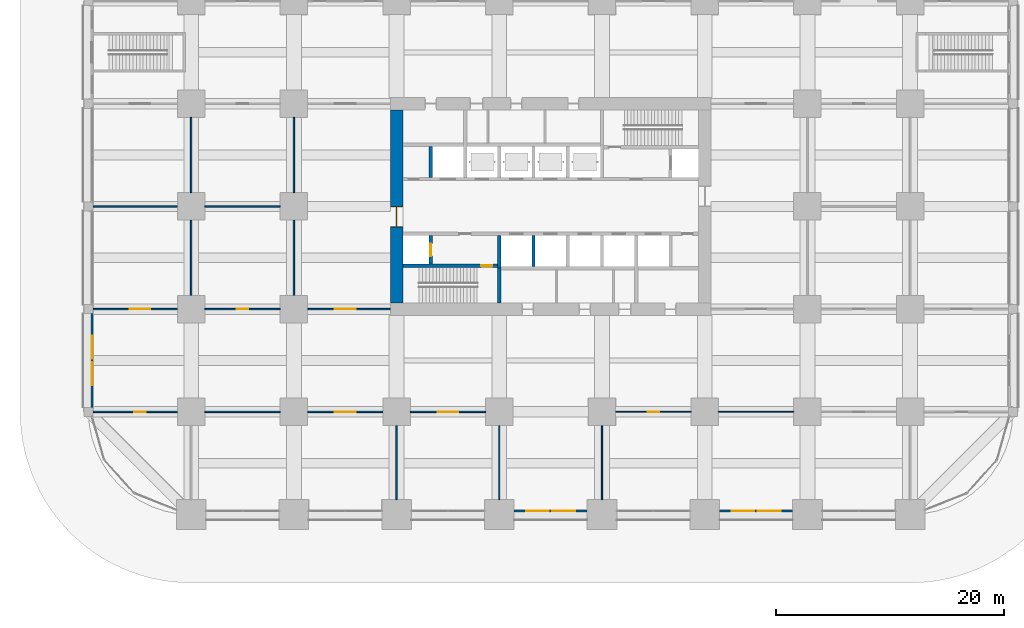
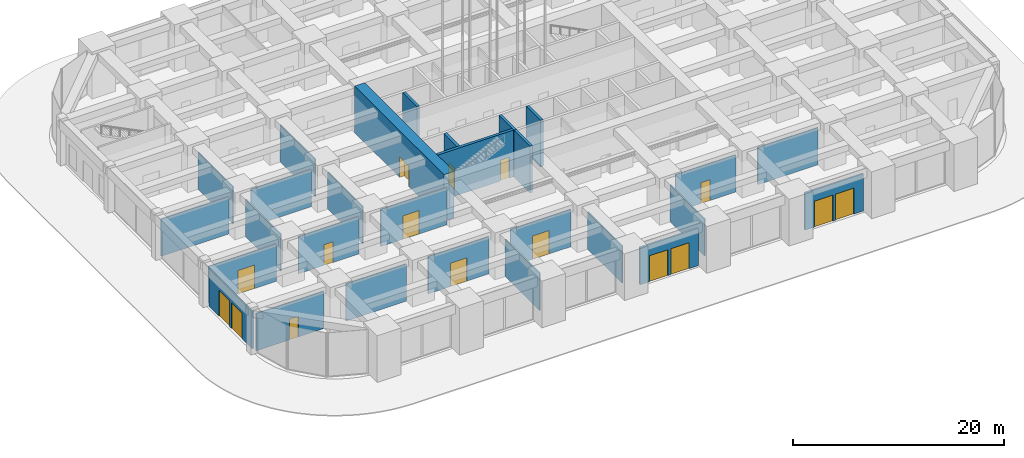
# One storey, part 41 of 56: 28 walls, 16 doors, 16 openings.
"""IFC4 building model written with IfcOpenShell, lengths in metres."""

from ifc_helpers import new_model, si_unit, direction, frame, frame_2d, origin, place, context, subcontext, project, spatial, rectangle, extrude, material, layer, layer_set, type_object, element, fill, save


model = new_model("IFC4")

# Units and contexts
model_context = context("Model", 3, precision=1e-05, world=origin(), true_north=direction((0.0, 1.0)))
body_context = subcontext(model_context, "Body", "Model", "MODEL_VIEW")
ifc_project = project(units=[si_unit("LENGTHUNIT", "METRE"), si_unit("AREAUNIT", "SQUARE_METRE"), si_unit("VOLUMEUNIT", "CUBIC_METRE"), si_unit("PLANEANGLEUNIT", "RADIAN"), si_unit("MASSUNIT", "GRAM", prefix="KILO")], contexts=[model_context])

# Site, building, storey
site_placement = place(None, origin())
site = spatial("IfcSite", under=ifc_project, at=site_placement, CompositionType="ELEMENT")
building_placement = place(site_placement, origin())
building = spatial("IfcBuilding", under=site, at=building_placement, Name="Zorevar Civic Tower", CompositionType="ELEMENT")
storey_placement = place(building_placement, origin())
storey = spatial("IfcBuildingStorey", under=building, at=storey_placement, Name="L00", CompositionType="ELEMENT", Elevation=0.0)

# Wall, opening, door
ifc_material_1 = material(Name="Concrete C50/60", Category="concrete")
ifc_layer_1 = layer(ifc_material_1, 1.10009765625)
ifc_layer_set_1 = layer_set([ifc_layer_1], Name="Core wall 1100")
wall_type_1 = type_object("IfcWallType", Name="Core wall 1100", PredefinedType="SHEAR", material=ifc_layer_set_1)
wall_1_placement = place(storey_placement, frame((18.0, 35.449951171875, 0.0), z_axis=(0.0, 0.0, 1.0), x_axis=(0.0, -1.0, 0.0)))
wall_1 = element("IfcWall", 1, at=wall_1_placement, inside=storey, type_object=wall_type_1, Name="Core wall W L00", PredefinedType="SHEAR", context=body_context, shape_type="SweptSolid", body=[
    extrude(rectangle(XDim=16.89990234375, YDim=1.10009765625, at=frame_2d((8.449951171875, 0.0))), origin(), (0.0, 0.0, 1.0), 5.39990234375),
])
opening_1_placement = place(wall_1_placement, frame((8.449951171875, 0.0, 0.0)))
opening_1 = element("IfcOpeningElement", 2, at=opening_1_placement, cuts=wall_1, Name="Opening L00.01", PredefinedType="OPENING", context=body_context, shape_type="SweptSolid", body=[
    extrude(rectangle(XDim=1.800048828125, YDim=2.39990234375, at=frame_2d((0.89990234375, 1.199951171875))), frame((0.0, 0.56005859375, 0.0), z_axis=(0.0, -1.0, 0.0), x_axis=(1.0, 0.0, 0.0)), (0.0, 0.0, 1.0), 1.1201171875),
])
ifc_material_2 = material(Name="Steel door set", Category="steel")
door_type_1 = type_object("IfcDoorType", Name="Fire door FD2 1800x2400", OperationType="DOUBLE_DOOR_DOUBLE_SWING", PredefinedType="DOOR", material=ifc_material_2)
door_1_placement = place(opening_1_placement, origin())
door_1 = element("IfcDoor", 3, at=door_1_placement, inside=storey, type_object=door_type_1, Name="Door L00 00", OperationType="DOUBLE_DOOR_DOUBLE_SWING", OverallHeight=2.39990234375, OverallWidth=1.800048828125, PredefinedType="DOOR", context=body_context, shape_type="SweptSolid", body=[
    extrude(rectangle(XDim=1.800048828125, YDim=2.39990234375, at=frame_2d((0.89990234375, 1.199951171875))), frame((0.0, 0.030029296875, 0.0), z_axis=(0.0, -1.0, 0.0), x_axis=(1.0, 0.0, 0.0)), (0.0, 0.0, 1.0), 0.06005859375),
    extrude(rectangle(XDim=0.04, YDim=2.39990234375, at=frame_2d((0.02001953125, 1.199951171875))), frame((0.0, 0.5498046875, 0.0), z_axis=(0.0, -1.0, 0.0), x_axis=(1.0, 0.0, 0.0)), (0.0, 0.0, 1.0), 1.099609375),
    extrude(rectangle(XDim=0.04, YDim=2.39990234375, at=frame_2d((1.780029296875, 1.199951171875))), frame((0.0, 0.5498046875, 0.0), z_axis=(0.0, -1.0, 0.0), x_axis=(1.0, 0.0, 0.0)), (0.0, 0.0, 1.0), 1.099609375),
    extrude(rectangle(XDim=1.800048828125, YDim=0.04, at=frame_2d((0.89990234375, 2.3798828125))), frame((0.0, 0.5498046875, 0.0), z_axis=(0.0, -1.0, 0.0), x_axis=(1.0, 0.0, 0.0)), (0.0, 0.0, 1.0), 1.099609375),
])
fill(opening_1, door_1)

ifc_material_3 = material(Name="Laminated glass in black aluminium frame", Category="aluminium")
ifc_layer_2 = layer(ifc_material_3, 0.10009765625)
ifc_layer_set_2 = layer_set([ifc_layer_2], Name="Glazed partition 100")
wall_type_2 = type_object("IfcWallType", Name="Glazed partition 100", PredefinedType="PARTITIONING", material=ifc_layer_set_2)
wall_2_placement = place(storey_placement, frame((37.199951171875, 9.0, 0.0), z_axis=(0.0, 0.0, 1.0), x_axis=(1.0, 0.0, 0.0)))
wall_2 = element("IfcWall", 4, at=wall_2_placement, inside=storey, type_object=wall_type_2, Name="Glazed partition 100 L00", PredefinedType="PARTITIONING", context=body_context, shape_type="SweptSolid", body=[
    extrude(rectangle(XDim=6.60009765625, YDim=0.10009765625, at=frame_2d((3.300048828125, 0.0))), origin(), (0.0, 0.0, 1.0), 4.300048828125),
])
opening_2_placement = place(wall_2_placement, frame((2.800048828125, 0.0, 0.0)))
opening_2 = element("IfcOpeningElement", 5, at=opening_2_placement, cuts=wall_2, Name="Opening L00.18", PredefinedType="OPENING", context=body_context, shape_type="SweptSolid", body=[
    extrude(rectangle(XDim=1.0, YDim=2.39990234375, at=frame_2d((0.5, 1.199951171875))), frame((0.0, 0.06005859375, 0.0), z_axis=(0.0, -1.0, 0.0), x_axis=(1.0, 0.0, 0.0)), (0.0, 0.0, 1.0), 0.1201171875),
])
ifc_material_4 = material(Name="Timber door set", Category="wood")
door_type_2 = type_object("IfcDoorType", Name="Glazed door GD1 1000x2400", OperationType="SINGLE_SWING_LEFT", PredefinedType="DOOR", material=ifc_material_4)
door_2_placement = place(opening_2_placement, origin())
door_2 = element("IfcDoor", 6, at=door_2_placement, inside=storey, type_object=door_type_2, Name="Door L00 D9", OperationType="SINGLE_SWING_LEFT", OverallHeight=2.39990234375, OverallWidth=1.0, PredefinedType="DOOR", context=body_context, shape_type="SweptSolid", body=[
    extrude(rectangle(XDim=1.0, YDim=2.39990234375, at=frame_2d((0.5, 1.199951171875))), frame((0.0, 0.02001953125, 0.0), z_axis=(0.0, -1.0, 0.0), x_axis=(1.0, 0.0, 0.0)), (0.0, 0.0, 1.0), 0.0400390625),
])
fill(opening_2, door_2)

# Wall
wall_3_placement = place(storey_placement, frame((46.199951171875, 9.0, 0.0), z_axis=(0.0, 0.0, 1.0), x_axis=(1.0, 0.0, 0.0)))
element("IfcWall", 7, at=wall_3_placement, inside=storey, type_object=wall_type_2, Name="Glazed partition 100 L00", PredefinedType="PARTITIONING", context=body_context, shape_type="SweptSolid", body=[
    extrude(rectangle(XDim=6.60009765625, YDim=0.10009765625, at=frame_2d((3.300048828125, 0.0))), origin(), (0.0, 0.0, 1.0), 4.300048828125),
])

# Wall, opening, door
ifc_material_5 = material(Name="Concrete C40/50", Category="concrete")
ifc_layer_3 = layer(ifc_material_5, 0.300048828125)
ifc_layer_set_3 = layer_set([ifc_layer_3], Name="Inner core wall 300")
wall_type_3 = type_object("IfcWallType", Name="Inner core wall 300", PredefinedType="SHEAR", material=ifc_layer_set_3)
wall_4_placement = place(storey_placement, frame((18.550048828125, 21.800048828125, 0.0), z_axis=(0.0, 0.0, 1.0), x_axis=(1.0, 0.0, 0.0)))
wall_4 = element("IfcWall", 8, at=wall_4_placement, inside=storey, type_object=wall_type_3, Name="Inner core wall S00 L00", PredefinedType="SHEAR", context=body_context, shape_type="SweptSolid", body=[
    extrude(rectangle(XDim=8.300048828125, YDim=0.300048828125, at=frame_2d((4.14990234375, 0.0))), origin(), (0.0, 0.0, 1.0), 5.39990234375),
])
opening_3_placement = place(wall_4_placement, frame((6.85009765625, 0.0, 0.0)))
opening_3 = element("IfcOpeningElement", 9, at=opening_3_placement, cuts=wall_4, Name="Opening L00.11", PredefinedType="OPENING", context=body_context, shape_type="SweptSolid", body=[
    extrude(rectangle(XDim=1.0, YDim=2.39990234375, at=frame_2d((0.5, 1.199951171875))), frame((0.0, 0.159912109375, 0.0), z_axis=(0.0, -1.0, 0.0), x_axis=(1.0, 0.0, 0.0)), (0.0, 0.0, 1.0), 0.320068359375),
])
ifc_material_6 = material(Name="Steel door set", Category="steel")
door_type_3 = type_object("IfcDoorType", Name="Fire door FD1 1000x2400", OperationType="SINGLE_SWING_LEFT", PredefinedType="DOOR", material=ifc_material_6)
door_3_placement = place(opening_3_placement, origin())
door_3 = element("IfcDoor", 10, at=door_3_placement, inside=storey, type_object=door_type_3, Name="Door L00 10", OperationType="SINGLE_SWING_RIGHT", OverallHeight=2.39990234375, OverallWidth=1.0, PredefinedType="DOOR", context=body_context, shape_type="SweptSolid", body=[
    extrude(rectangle(XDim=1.0, YDim=2.39990234375, at=frame_2d((0.5, 1.199951171875))), frame((0.0, 0.030029296875, 0.0), z_axis=(0.0, -1.0, 0.0), x_axis=(1.0, 0.0, 0.0)), (0.0, 0.0, 1.0), 0.06005859375),
])
fill(opening_3, door_3)

# Wall
wall_5_placement = place(storey_placement, frame((27.0, 18.550048828125, 0.0), z_axis=(0.0, 0.0, 1.0), x_axis=(0.0, 1.0, 0.0)))
element("IfcWall", 11, at=wall_5_placement, inside=storey, type_object=wall_type_3, Name="Inner core wall S01 L00", PredefinedType="SHEAR", context=body_context, shape_type="SweptSolid", body=[
    extrude(rectangle(XDim=3.050048828125, YDim=0.300048828125, at=frame_2d((1.52490234375, 0.0))), origin(), (0.0, 0.0, 1.0), 5.39990234375),
])

# Wall, opening, door
wall_6_placement = place(storey_placement, frame((21.0, 21.949951171875, 0.0), z_axis=(0.0, 0.0, 1.0), x_axis=(0.0, 1.0, 0.0)))
wall_6 = element("IfcWall", 12, at=wall_6_placement, inside=storey, type_object=wall_type_3, Name="Inner core wall S02 L00", PredefinedType="SHEAR", context=body_context, shape_type="SweptSolid", body=[
    extrude(rectangle(XDim=2.5, YDim=0.300048828125, at=frame_2d((1.25, 0.0))), origin(), (0.0, 0.0, 1.0), 5.39990234375),
])
opening_4_placement = place(wall_6_placement, frame((0.699951171875, 0.0, 0.0)))
opening_4 = element("IfcOpeningElement", 13, at=opening_4_placement, cuts=wall_6, Name="Opening L00.FL1", PredefinedType="OPENING", context=body_context, shape_type="SweptSolid", body=[
    extrude(rectangle(XDim=1.10009765625, YDim=2.39990234375, at=frame_2d((0.550048828125, 1.199951171875))), frame((0.0, 0.159912109375, 0.0), z_axis=(0.0, -1.0, 0.0), x_axis=(1.0, 0.0, 0.0)), (0.0, 0.0, 1.0), 0.320068359375),
])
ifc_material_7 = material(Name="Steel door set", Category="steel")
door_type_4 = type_object("IfcDoorType", Name="Firefighting lift landing door LD3 1100x2400", OperationType="DOUBLE_DOOR_SLIDING", PredefinedType="DOOR", material=ifc_material_7)
door_4_placement = place(opening_4_placement, origin())
door_4 = element("IfcDoor", 14, at=door_4_placement, inside=storey, type_object=door_type_4, Name="Landing door FL1 L00", OperationType="DOUBLE_DOOR_SLIDING", OverallHeight=2.39990234375, OverallWidth=1.10009765625, PredefinedType="DOOR", context=body_context, shape_type="SweptSolid", body=[
    extrude(rectangle(XDim=1.10009765625, YDim=2.39990234375, at=frame_2d((0.550048828125, 1.199951171875))), frame((0.0, 0.030029296875, 0.0), z_axis=(0.0, -1.0, 0.0), x_axis=(1.0, 0.0, 0.0)), (0.0, 0.0, 1.0), 0.06005859375),
])
fill(opening_4, door_4)

# Walls
for number, where, z_axis, x_axis, name in (
    (15, (30.0, 21.75, 0.0), (0.0, 0.0, 1.0), (0.0, 1.0, 0.0), "Inner core wall S05 L00"),
    (16, (21.0, 29.550048828125, 0.0), (0.0, 0.0, 1.0), (0.0, 1.0, 0.0), "Inner core wall N09 L00"),
):
    element("IfcWall", number, at=place(storey_placement, frame(where, z_axis=z_axis, x_axis=x_axis)), inside=storey, type_object=wall_type_3, Name=name, PredefinedType="SHEAR", context=body_context, shape_type="SweptSolid", body=[
        extrude(rectangle(XDim=2.699951171875, YDim=0.300048828125, at=frame_2d((1.35009765625, 0.0))), origin(), (0.0, 0.0, 1.0), 5.39990234375),
    ])
wall_7_placement = place(storey_placement, frame((27.0, 21.60009765625, 0.0), z_axis=(0.0, 0.0, 1.0), x_axis=(0.0, 1.0, 0.0)))
element("IfcWall", 17, at=wall_7_placement, inside=storey, type_object=wall_type_3, Name="Inner core wall S10 L00", PredefinedType="SHEAR", context=body_context, shape_type="SweptSolid", body=[
    extrude(rectangle(XDim=2.849853515625, YDim=0.300048828125, at=frame_2d((1.4248046875, 0.0))), origin(), (0.0, 0.0, 1.0), 5.39990234375),
])
ifc_material_8 = material(Name="Gypsum board on steel studs", Category="steel")
ifc_layer_4 = layer(ifc_material_8, 0.1201171875)
ifc_layer_set_4 = layer_set([ifc_layer_4], Name="Partition 120")
wall_type_4 = type_object("IfcWallType", Name="Partition 120", PredefinedType="PARTITIONING", material=ifc_layer_set_4)
wall_8_placement = place(storey_placement, frame((1.199951171875, 9.0, 0.0), z_axis=(0.0, 0.0, 1.0), x_axis=(1.0, 0.0, 0.0)))
element("IfcWall", 18, at=wall_8_placement, inside=storey, type_object=wall_type_4, Name="Partition 120 L00", PredefinedType="PARTITIONING", context=body_context, shape_type="SweptSolid", body=[
    extrude(rectangle(XDim=6.60009765625, YDim=0.1201171875, at=frame_2d((3.300048828125, 0.0))), origin(), (0.0, 0.0, 1.0), 4.300048828125),
])

# Wall, opening, door
wall_9_placement = place(storey_placement, frame((10.199951171875, 9.0, 0.0), z_axis=(0.0, 0.0, 1.0), x_axis=(1.0, 0.0, 0.0)))
wall_9 = element("IfcWall", 19, at=wall_9_placement, inside=storey, type_object=wall_type_4, Name="Partition 120 L00", PredefinedType="PARTITIONING", context=body_context, shape_type="SweptSolid", body=[
    extrude(rectangle(XDim=6.60009765625, YDim=0.1201171875, at=frame_2d((3.300048828125, 0.0))), origin(), (0.0, 0.0, 1.0), 4.300048828125),
])
opening_5_placement = place(wall_9_placement, frame((2.39990234375, 0.0, 0.0)))
opening_5 = element("IfcOpeningElement", 20, at=opening_5_placement, cuts=wall_9, Name="Opening L00.17", PredefinedType="OPENING", context=body_context, shape_type="SweptSolid", body=[
    extrude(rectangle(XDim=1.800048828125, YDim=2.699951171875, at=frame_2d((0.89990234375, 1.35009765625))), frame((0.0, 0.070068359375, 0.0), z_axis=(0.0, -1.0, 0.0), x_axis=(1.0, 0.0, 0.0)), (0.0, 0.0, 1.0), 0.14013671875),
])
ifc_material_9 = material(Name="Timber door set", Category="wood")
door_type_5 = type_object("IfcDoorType", Name="Door D3 1800x2700", OperationType="DOUBLE_DOOR_DOUBLE_SWING", PredefinedType="DOOR", material=ifc_material_9)
door_5_placement = place(opening_5_placement, origin())
door_5 = element("IfcDoor", 21, at=door_5_placement, inside=storey, type_object=door_type_5, Name="Door L00 D8", OperationType="DOUBLE_DOOR_DOUBLE_SWING", OverallHeight=2.699951171875, OverallWidth=1.800048828125, PredefinedType="DOOR", context=body_context, shape_type="SweptSolid", body=[
    extrude(rectangle(XDim=1.800048828125, YDim=2.699951171875, at=frame_2d((0.89990234375, 1.35009765625))), frame((0.0, 0.02490234375, 0.0), z_axis=(0.0, -1.0, 0.0), x_axis=(1.0, 0.0, 0.0)), (0.0, 0.0, 1.0), 0.050048828125),
])
fill(opening_5, door_5)

# Walls
for number, where, z_axis, x_axis, name in (
    (22, (18.0, 1.300048828125, 0.0), (0.0, 0.0, 1.0), (0.0, 1.0, 0.0), "Partition 120 L00"),
    (23, (36.0, 1.300048828125, 0.0), (0.0, 0.0, 1.0), (0.0, 1.0, 0.0), "Partition 120 L00"),
):
    element("IfcWall", number, at=place(storey_placement, frame(where, z_axis=z_axis, x_axis=x_axis)), inside=storey, type_object=wall_type_4, Name=name, PredefinedType="PARTITIONING", context=body_context, shape_type="SweptSolid", body=[
        extrude(rectangle(XDim=6.5, YDim=0.1201171875, at=frame_2d((3.25, 0.0))), origin(), (0.0, 0.0, 1.0), 4.300048828125),
    ])

# Wall, opening, door
wall_10_placement = place(storey_placement, frame((-8.60009765625, 9.0, 0.0), z_axis=(0.0, 0.0, 1.0), x_axis=(1.0, 0.0, 0.0)))
wall_10 = element("IfcWall", 24, at=wall_10_placement, inside=storey, type_object=wall_type_4, Name="Partition 120 L00", PredefinedType="PARTITIONING", context=body_context, shape_type="SweptSolid", body=[
    extrude(rectangle(XDim=7.400146484375, YDim=0.1201171875, at=frame_2d((3.7001953125, 0.0))), origin(), (0.0, 0.0, 1.0), 4.300048828125),
])
opening_6_placement = place(wall_10_placement, frame((3.60009765625, 0.0, 0.0)))
opening_6 = element("IfcOpeningElement", 25, at=opening_6_placement, cuts=wall_10, Name="Opening L00.20", PredefinedType="OPENING", context=body_context, shape_type="SweptSolid", body=[
    extrude(rectangle(XDim=1.0, YDim=2.39990234375, at=frame_2d((0.5, 1.199951171875))), frame((0.0, 0.070068359375, 0.0), z_axis=(0.0, -1.0, 0.0), x_axis=(1.0, 0.0, 0.0)), (0.0, 0.0, 1.0), 0.14013671875),
])
ifc_material_10 = material(Name="Timber door set", Category="wood")
door_type_6 = type_object("IfcDoorType", Name="Door D1 1000x2400", OperationType="SINGLE_SWING_LEFT", PredefinedType="DOOR", material=ifc_material_10)
door_6_placement = place(opening_6_placement, origin())
door_6 = element("IfcDoor", 26, at=door_6_placement, inside=storey, type_object=door_type_6, Name="Door L00 D22", OperationType="SINGLE_SWING_RIGHT", OverallHeight=2.39990234375, OverallWidth=1.0, PredefinedType="DOOR", context=body_context, shape_type="SweptSolid", body=[
    extrude(rectangle(XDim=1.0, YDim=2.39990234375, at=frame_2d((0.5, 1.199951171875))), frame((0.0, 0.02490234375, 0.0), z_axis=(0.0, -1.0, 0.0), x_axis=(1.0, 0.0, 0.0)), (0.0, 0.0, 1.0), 0.050048828125),
])
fill(opening_6, door_6)

wall_11_placement = place(storey_placement, frame((19.199951171875, 9.0, 0.0), z_axis=(0.0, 0.0, 1.0), x_axis=(1.0, 0.0, 0.0)))
wall_11 = element("IfcWall", 27, at=wall_11_placement, inside=storey, type_object=wall_type_4, Name="Partition 120 L00", PredefinedType="PARTITIONING", context=body_context, shape_type="SweptSolid", body=[
    extrude(rectangle(XDim=6.60009765625, YDim=0.1201171875, at=frame_2d((3.300048828125, 0.0))), origin(), (0.0, 0.0, 1.0), 4.300048828125),
])
opening_7_placement = place(wall_11_placement, frame((2.39990234375, 0.0, 0.0)))
opening_7 = element("IfcOpeningElement", 28, at=opening_7_placement, cuts=wall_11, Name="Opening L00.22", PredefinedType="OPENING", context=body_context, shape_type="SweptSolid", body=[
    extrude(rectangle(XDim=1.800048828125, YDim=2.699951171875, at=frame_2d((0.89990234375, 1.35009765625))), frame((0.0, 0.070068359375, 0.0), z_axis=(0.0, -1.0, 0.0), x_axis=(1.0, 0.0, 0.0)), (0.0, 0.0, 1.0), 0.14013671875),
])
door_7_placement = place(opening_7_placement, origin())
door_7 = element("IfcDoor", 29, at=door_7_placement, inside=storey, type_object=door_type_5, Name="Door L00 D24", OperationType="DOUBLE_DOOR_DOUBLE_SWING", OverallHeight=2.699951171875, OverallWidth=1.800048828125, PredefinedType="DOOR", context=body_context, shape_type="SweptSolid", body=[
    extrude(rectangle(XDim=1.800048828125, YDim=2.699951171875, at=frame_2d((0.89990234375, 1.35009765625))), frame((0.0, 0.02490234375, 0.0), z_axis=(0.0, -1.0, 0.0), x_axis=(1.0, 0.0, 0.0)), (0.0, 0.0, 1.0), 0.050048828125),
])
fill(opening_7, door_7)

# Wall
wall_12_placement = place(storey_placement, frame((27.0, 1.300048828125, 0.0), z_axis=(0.0, 0.0, 1.0), x_axis=(0.0, 1.0, 0.0)))
element("IfcWall", 30, at=wall_12_placement, inside=storey, type_object=wall_type_4, Name="Partition 120 L00", PredefinedType="PARTITIONING", context=body_context, shape_type="SweptSolid", body=[
    extrude(rectangle(XDim=6.5, YDim=0.1201171875, at=frame_2d((3.25, 0.0))), origin(), (0.0, 0.0, 1.0), 4.300048828125),
])

# Wall, opening, door
wall_13_placement = place(storey_placement, frame((-8.60009765625, 18.0, 0.0), z_axis=(0.0, 0.0, 1.0), x_axis=(1.0, 0.0, 0.0)))
wall_13 = element("IfcWall", 31, at=wall_13_placement, inside=storey, type_object=wall_type_4, Name="Partition 120 L00", PredefinedType="PARTITIONING", context=body_context, shape_type="SweptSolid", body=[
    extrude(rectangle(XDim=7.400146484375, YDim=0.1201171875, at=frame_2d((3.7001953125, 0.0))), origin(), (0.0, 0.0, 1.0), 4.300048828125),
])
opening_8_placement = place(wall_13_placement, frame((3.199951171875, 0.0, 0.0)))
opening_8 = element("IfcOpeningElement", 32, at=opening_8_placement, cuts=wall_13, Name="Opening L00.23", PredefinedType="OPENING", context=body_context, shape_type="SweptSolid", body=[
    extrude(rectangle(XDim=1.800048828125, YDim=2.699951171875, at=frame_2d((0.89990234375, 1.35009765625))), frame((0.0, 0.070068359375, 0.0), z_axis=(0.0, -1.0, 0.0), x_axis=(1.0, 0.0, 0.0)), (0.0, 0.0, 1.0), 0.14013671875),
])
door_8_placement = place(opening_8_placement, origin())
door_8 = element("IfcDoor", 33, at=door_8_placement, inside=storey, type_object=door_type_5, Name="Door L00 D1", OperationType="DOUBLE_DOOR_DOUBLE_SWING", OverallHeight=2.699951171875, OverallWidth=1.800048828125, PredefinedType="DOOR", context=body_context, shape_type="SweptSolid", body=[
    extrude(rectangle(XDim=1.800048828125, YDim=2.699951171875, at=frame_2d((0.89990234375, 1.35009765625))), frame((0.0, 0.02490234375, 0.0), z_axis=(0.0, -1.0, 0.0), x_axis=(1.0, 0.0, 0.0)), (0.0, 0.0, 1.0), 0.050048828125),
])
fill(opening_8, door_8)

wall_14_placement = place(storey_placement, frame((1.199951171875, 18.0, 0.0), z_axis=(0.0, 0.0, 1.0), x_axis=(1.0, 0.0, 0.0)))
wall_14 = element("IfcWall", 34, at=wall_14_placement, inside=storey, type_object=wall_type_4, Name="Partition 120 L00", PredefinedType="PARTITIONING", context=body_context, shape_type="SweptSolid", body=[
    extrude(rectangle(XDim=6.60009765625, YDim=0.1201171875, at=frame_2d((3.300048828125, 0.0))), origin(), (0.0, 0.0, 1.0), 4.300048828125),
])
opening_9_placement = place(wall_14_placement, frame((2.800048828125, 0.0, 0.0)))
opening_9 = element("IfcOpeningElement", 35, at=opening_9_placement, cuts=wall_14, Name="Opening L00.24", PredefinedType="OPENING", context=body_context, shape_type="SweptSolid", body=[
    extrude(rectangle(XDim=1.0, YDim=2.39990234375, at=frame_2d((0.5, 1.199951171875))), frame((0.0, 0.070068359375, 0.0), z_axis=(0.0, -1.0, 0.0), x_axis=(1.0, 0.0, 0.0)), (0.0, 0.0, 1.0), 0.14013671875),
])
door_9_placement = place(opening_9_placement, origin())
door_9 = element("IfcDoor", 36, at=door_9_placement, inside=storey, type_object=door_type_6, Name="Door L00 D11", OperationType="SINGLE_SWING_RIGHT", OverallHeight=2.39990234375, OverallWidth=1.0, PredefinedType="DOOR", context=body_context, shape_type="SweptSolid", body=[
    extrude(rectangle(XDim=1.0, YDim=2.39990234375, at=frame_2d((0.5, 1.199951171875))), frame((0.0, 0.02490234375, 0.0), z_axis=(0.0, -1.0, 0.0), x_axis=(1.0, 0.0, 0.0)), (0.0, 0.0, 1.0), 0.050048828125),
])
fill(opening_9, door_9)

wall_15_placement = place(storey_placement, frame((10.199951171875, 18.0, 0.0), z_axis=(0.0, 0.0, 1.0), x_axis=(1.0, 0.0, 0.0)))
wall_15 = element("IfcWall", 37, at=wall_15_placement, inside=storey, type_object=wall_type_4, Name="Partition 120 L00", PredefinedType="PARTITIONING", context=body_context, shape_type="SweptSolid", body=[
    extrude(rectangle(XDim=7.25, YDim=0.1201171875, at=frame_2d((3.625, 0.0))), origin(), (0.0, 0.0, 1.0), 4.300048828125),
])
opening_10_placement = place(wall_15_placement, frame((2.39990234375, 0.0, 0.0)))
opening_10 = element("IfcOpeningElement", 38, at=opening_10_placement, cuts=wall_15, Name="Opening L00.25", PredefinedType="OPENING", context=body_context, shape_type="SweptSolid", body=[
    extrude(rectangle(XDim=1.800048828125, YDim=2.699951171875, at=frame_2d((0.89990234375, 1.35009765625))), frame((0.0, 0.070068359375, 0.0), z_axis=(0.0, -1.0, 0.0), x_axis=(1.0, 0.0, 0.0)), (0.0, 0.0, 1.0), 0.14013671875),
])
door_10_placement = place(opening_10_placement, origin())
door_10 = element("IfcDoor", 39, at=door_10_placement, inside=storey, type_object=door_type_5, Name="Door L00 D2", OperationType="DOUBLE_DOOR_DOUBLE_SWING", OverallHeight=2.699951171875, OverallWidth=1.800048828125, PredefinedType="DOOR", context=body_context, shape_type="SweptSolid", body=[
    extrude(rectangle(XDim=1.800048828125, YDim=2.699951171875, at=frame_2d((0.89990234375, 1.35009765625))), frame((0.0, 0.02490234375, 0.0), z_axis=(0.0, -1.0, 0.0), x_axis=(1.0, 0.0, 0.0)), (0.0, 0.0, 1.0), 0.050048828125),
])
fill(opening_10, door_10)

# Walls
for number, where, z_axis, x_axis, name in (
    (40, (0.0, 19.199951171875, 0.0), (0.0, 0.0, 1.0), (0.0, 1.0, 0.0), "Partition 120 L00"),
    (41, (0.0, 28.199951171875, 0.0), (0.0, 0.0, 1.0), (0.0, 1.0, 0.0), "Partition 120 L00"),
):
    element("IfcWall", number, at=place(storey_placement, frame(where, z_axis=z_axis, x_axis=x_axis)), inside=storey, type_object=wall_type_4, Name=name, PredefinedType="PARTITIONING", context=body_context, shape_type="SweptSolid", body=[
        extrude(rectangle(XDim=6.60009765625, YDim=0.1201171875, at=frame_2d((3.300048828125, 0.0))), origin(), (0.0, 0.0, 1.0), 4.300048828125),
    ])
wall_16_placement = place(storey_placement, frame((-8.60009765625, 27.0, 0.0), z_axis=(0.0, 0.0, 1.0), x_axis=(1.0, 0.0, 0.0)))
element("IfcWall", 42, at=wall_16_placement, inside=storey, type_object=wall_type_4, Name="Partition 120 L00", PredefinedType="PARTITIONING", context=body_context, shape_type="SweptSolid", body=[
    extrude(rectangle(XDim=7.400146484375, YDim=0.1201171875, at=frame_2d((3.7001953125, 0.0))), origin(), (0.0, 0.0, 1.0), 4.300048828125),
])
for number, where, z_axis, x_axis, name in (
    (43, (9.0, 19.199951171875, 0.0), (0.0, 0.0, 1.0), (0.0, 1.0, 0.0), "Partition 120 L00"),
    (44, (9.0, 28.199951171875, 0.0), (0.0, 0.0, 1.0), (0.0, 1.0, 0.0), "Partition 120 L00"),
    (45, (1.199951171875, 27.0, 0.0), (0.0, 0.0, 1.0), (1.0, 0.0, 0.0), "Partition 120 L00"),
):
    element("IfcWall", number, at=place(storey_placement, frame(where, z_axis=z_axis, x_axis=x_axis)), inside=storey, type_object=wall_type_4, Name=name, PredefinedType="PARTITIONING", context=body_context, shape_type="SweptSolid", body=[
        extrude(rectangle(XDim=6.60009765625, YDim=0.1201171875, at=frame_2d((3.300048828125, 0.0))), origin(), (0.0, 0.0, 1.0), 4.300048828125),
    ])

# Wall, openings, doors
ifc_material_11 = material(Name="Black metal-faced insulated panel", Category="aluminium")
ifc_layer_5 = layer(ifc_material_11, 0.179931640625)
ifc_layer_set_5 = layer_set([ifc_layer_5], Name="Screen wall 180")
wall_type_5 = type_object("IfcWallType", Name="Screen wall 180", PredefinedType="SOLIDWALL", material=ifc_layer_set_5)
wall_17_placement = place(storey_placement, frame((28.300048828125, 0.300048828125, 0.0), z_axis=(0.0, 0.0, 1.0), x_axis=(1.0, 0.0, 0.0)))
wall_17 = element("IfcWall", 46, at=wall_17_placement, inside=storey, type_object=wall_type_5, Name="Screen wall L00 S27", PredefinedType="SOLIDWALL", context=body_context, shape_type="SweptSolid", body=[
    extrude(rectangle(XDim=6.39990234375, YDim=0.179931640625, at=frame_2d((3.199951171875, 0.0))), origin(), (0.0, 0.0, 1.0), 4.300048828125),
])
opening_11_placement = place(wall_17_placement, frame((1.050048828125, 0.0, 0.0)))
opening_11 = element("IfcOpeningElement", 47, at=opening_11_placement, cuts=wall_17, Name="Opening ED1", PredefinedType="OPENING", context=body_context, shape_type="SweptSolid", body=[
    extrude(rectangle(XDim=2.0, YDim=3.0, at=frame_2d((1.0, 1.5))), frame((0.0, 0.099853515625, 0.0), z_axis=(0.0, -1.0, 0.0), x_axis=(1.0, 0.0, 0.0)), (0.0, 0.0, 1.0), 0.199951171875),
])
opening_12_placement = place(wall_17_placement, frame((3.35009765625, 0.0, 0.0)))
opening_12 = element("IfcOpeningElement", 48, at=opening_12_placement, cuts=wall_17, Name="Opening ED1", PredefinedType="OPENING", context=body_context, shape_type="SweptSolid", body=[
    extrude(rectangle(XDim=2.0, YDim=3.0, at=frame_2d((1.0, 1.5))), frame((0.0, 0.099853515625, 0.0), z_axis=(0.0, -1.0, 0.0), x_axis=(1.0, 0.0, 0.0)), (0.0, 0.0, 1.0), 0.199951171875),
])
ifc_material_12 = material(Name="Black aluminium and dark glass", Category="aluminium")
door_type_7 = type_object("IfcDoorType", Name="Entrance door ED1 2000x3000", OperationType="DOUBLE_DOOR_DOUBLE_SWING", PredefinedType="DOOR", material=ifc_material_12)
door_11_placement = place(opening_11_placement, origin())
door_11 = element("IfcDoor", 49, at=door_11_placement, inside=storey, type_object=door_type_7, Name="Entrance door L00 S27 1", OperationType="DOUBLE_DOOR_DOUBLE_SWING", OverallHeight=3.0, OverallWidth=2.0, PredefinedType="DOOR", context=body_context, shape_type="SweptSolid", body=[
    extrude(rectangle(XDim=2.0, YDim=3.0, at=frame_2d((1.0, 1.5))), frame((0.0, 0.02490234375, 0.0), z_axis=(0.0, -1.0, 0.0), x_axis=(1.0, 0.0, 0.0)), (0.0, 0.0, 1.0), 0.050048828125),
])
fill(opening_11, door_11)
door_12_placement = place(opening_12_placement, origin())
door_12 = element("IfcDoor", 50, at=door_12_placement, inside=storey, type_object=door_type_7, Name="Entrance door L00 S27 2", OperationType="DOUBLE_DOOR_DOUBLE_SWING", OverallHeight=3.0, OverallWidth=2.0, PredefinedType="DOOR", context=body_context, shape_type="SweptSolid", body=[
    extrude(rectangle(XDim=2.0, YDim=3.0, at=frame_2d((1.0, 1.5))), frame((0.0, 0.02490234375, 0.0), z_axis=(0.0, -1.0, 0.0), x_axis=(1.0, 0.0, 0.0)), (0.0, 0.0, 1.0), 0.050048828125),
])
fill(opening_12, door_12)

wall_18_placement = place(storey_placement, frame((46.300048828125, 0.300048828125, 0.0), z_axis=(0.0, 0.0, 1.0), x_axis=(1.0, 0.0, 0.0)))
wall_18 = element("IfcWall", 51, at=wall_18_placement, inside=storey, type_object=wall_type_5, Name="Screen wall L00 S45", PredefinedType="SOLIDWALL", context=body_context, shape_type="SweptSolid", body=[
    extrude(rectangle(XDim=6.39990234375, YDim=0.179931640625, at=frame_2d((3.199951171875, 0.0))), origin(), (0.0, 0.0, 1.0), 4.300048828125),
])
opening_13_placement = place(wall_18_placement, frame((1.050048828125, 0.0, 0.0)))
opening_13 = element("IfcOpeningElement", 52, at=opening_13_placement, cuts=wall_18, Name="Opening ED1", PredefinedType="OPENING", context=body_context, shape_type="SweptSolid", body=[
    extrude(rectangle(XDim=2.0, YDim=3.0, at=frame_2d((1.0, 1.5))), frame((0.0, 0.099853515625, 0.0), z_axis=(0.0, -1.0, 0.0), x_axis=(1.0, 0.0, 0.0)), (0.0, 0.0, 1.0), 0.199951171875),
])
opening_14_placement = place(wall_18_placement, frame((3.35009765625, 0.0, 0.0)))
opening_14 = element("IfcOpeningElement", 53, at=opening_14_placement, cuts=wall_18, Name="Opening ED1", PredefinedType="OPENING", context=body_context, shape_type="SweptSolid", body=[
    extrude(rectangle(XDim=2.0, YDim=3.0, at=frame_2d((1.0, 1.5))), frame((0.0, 0.099853515625, 0.0), z_axis=(0.0, -1.0, 0.0), x_axis=(1.0, 0.0, 0.0)), (0.0, 0.0, 1.0), 0.199951171875),
])
door_13_placement = place(opening_13_placement, origin())
door_13 = element("IfcDoor", 54, at=door_13_placement, inside=storey, type_object=door_type_7, Name="Entrance door L00 S45 1", OperationType="DOUBLE_DOOR_DOUBLE_SWING", OverallHeight=3.0, OverallWidth=2.0, PredefinedType="DOOR", context=body_context, shape_type="SweptSolid", body=[
    extrude(rectangle(XDim=2.0, YDim=3.0, at=frame_2d((1.0, 1.5))), frame((0.0, 0.02490234375, 0.0), z_axis=(0.0, -1.0, 0.0), x_axis=(1.0, 0.0, 0.0)), (0.0, 0.0, 1.0), 0.050048828125),
])
fill(opening_13, door_13)
door_14_placement = place(opening_14_placement, origin())
door_14 = element("IfcDoor", 55, at=door_14_placement, inside=storey, type_object=door_type_7, Name="Entrance door L00 S45 2", OperationType="DOUBLE_DOOR_DOUBLE_SWING", OverallHeight=3.0, OverallWidth=2.0, PredefinedType="DOOR", context=body_context, shape_type="SweptSolid", body=[
    extrude(rectangle(XDim=2.0, YDim=3.0, at=frame_2d((1.0, 1.5))), frame((0.0, 0.02490234375, 0.0), z_axis=(0.0, -1.0, 0.0), x_axis=(1.0, 0.0, 0.0)), (0.0, 0.0, 1.0), 0.050048828125),
])
fill(opening_14, door_14)

wall_19_placement = place(storey_placement, frame((-8.699951171875, 9.39990234375, 0.0), z_axis=(0.0, 0.0, 1.0), x_axis=(0.0, 1.0, 0.0)))
wall_19 = element("IfcWall", 56, at=wall_19_placement, inside=storey, type_object=wall_type_5, Name="Screen wall L00 W9", PredefinedType="SOLIDWALL", context=body_context, shape_type="SweptSolid", body=[
    extrude(rectangle(XDim=8.2001953125, YDim=0.179931640625, at=frame_2d((4.10009765625, 0.0))), origin(), (0.0, 0.0, 1.0), 4.300048828125),
])
opening_15_placement = place(wall_19_placement, frame((1.949951171875, 0.0, 0.0)))
opening_15 = element("IfcOpeningElement", 57, at=opening_15_placement, cuts=wall_19, Name="Opening ED1", PredefinedType="OPENING", context=body_context, shape_type="SweptSolid", body=[
    extrude(rectangle(XDim=2.0, YDim=3.0, at=frame_2d((1.0, 1.5))), frame((0.0, 0.099853515625, 0.0), z_axis=(0.0, -1.0, 0.0), x_axis=(1.0, 0.0, 0.0)), (0.0, 0.0, 1.0), 0.199951171875),
])
opening_16_placement = place(wall_19_placement, frame((4.25, 0.0, 0.0)))
opening_16 = element("IfcOpeningElement", 58, at=opening_16_placement, cuts=wall_19, Name="Opening ED1", PredefinedType="OPENING", context=body_context, shape_type="SweptSolid", body=[
    extrude(rectangle(XDim=2.0, YDim=3.0, at=frame_2d((1.0, 1.5))), frame((0.0, 0.099853515625, 0.0), z_axis=(0.0, -1.0, 0.0), x_axis=(1.0, 0.0, 0.0)), (0.0, 0.0, 1.0), 0.199951171875),
])
door_15_placement = place(opening_15_placement, origin())
door_15 = element("IfcDoor", 59, at=door_15_placement, inside=storey, type_object=door_type_7, Name="Entrance door L00 W9 1", OperationType="DOUBLE_DOOR_DOUBLE_SWING", OverallHeight=3.0, OverallWidth=2.0, PredefinedType="DOOR", context=body_context, shape_type="SweptSolid", body=[
    extrude(rectangle(XDim=2.0, YDim=3.0, at=frame_2d((1.0, 1.5))), frame((0.0, 0.02490234375, 0.0), z_axis=(0.0, -1.0, 0.0), x_axis=(1.0, 0.0, 0.0)), (0.0, 0.0, 1.0), 0.050048828125),
])
fill(opening_15, door_15)
door_16_placement = place(opening_16_placement, origin())
door_16 = element("IfcDoor", 60, at=door_16_placement, inside=storey, type_object=door_type_7, Name="Entrance door L00 W9 2", OperationType="DOUBLE_DOOR_DOUBLE_SWING", OverallHeight=3.0, OverallWidth=2.0, PredefinedType="DOOR", context=body_context, shape_type="SweptSolid", body=[
    extrude(rectangle(XDim=2.0, YDim=3.0, at=frame_2d((1.0, 1.5))), frame((0.0, 0.02490234375, 0.0), z_axis=(0.0, -1.0, 0.0), x_axis=(1.0, 0.0, 0.0)), (0.0, 0.0, 1.0), 0.050048828125),
])
fill(opening_16, door_16)

save(model, "model.ifc")
